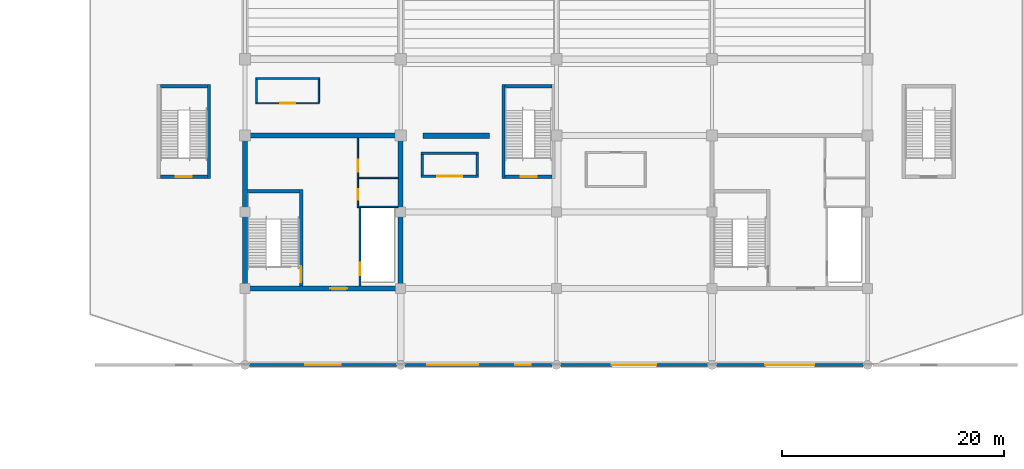
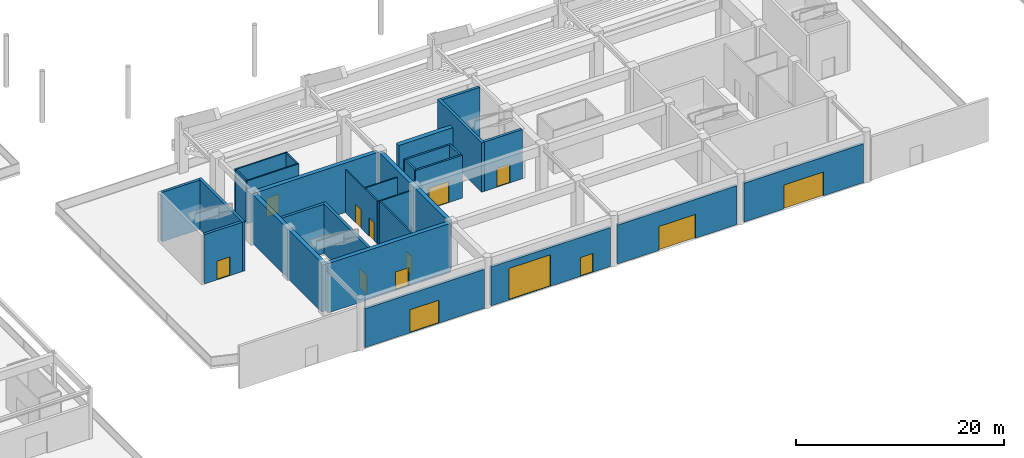
# One storey, part 39 of 73: 29 walls, 14 doors, 14 openings.
"""IFC4 building model written with IfcOpenShell, lengths in metres."""

from ifc_helpers import new_model, si_unit, direction, frame, frame_2d, origin, place, context, subcontext, project, spatial, rectangle, extrude, material, layer, layer_set, type_object, element, fill, save


model = new_model("IFC4")

# Units and contexts
model_context = context("Model", 3, precision=1e-05, world=origin(), true_north=direction((0.0, 1.0)))
body_context = subcontext(model_context, "Body", "Model", "MODEL_VIEW")
ifc_project = project(units=[si_unit("LENGTHUNIT", "METRE"), si_unit("AREAUNIT", "SQUARE_METRE"), si_unit("VOLUMEUNIT", "CUBIC_METRE"), si_unit("PLANEANGLEUNIT", "RADIAN"), si_unit("MASSUNIT", "GRAM", prefix="KILO")], contexts=[model_context])

# Site, building, storey
site_placement = place(None, origin())
site = spatial("IfcSite", under=ifc_project, at=site_placement, CompositionType="ELEMENT")
building_placement = place(site_placement, origin())
building = spatial("IfcBuilding", under=site, at=building_placement, Name="Linyun Crest Stadium", CompositionType="ELEMENT")
storey_placement = place(building_placement, origin())
storey = spatial("IfcBuildingStorey", under=building, at=storey_placement, Name="L01", CompositionType="ELEMENT", Elevation=0.0)

# Walls
ifc_material_1 = material(Name="Concrete C50", Category="concrete")
ifc_layer_1 = layer(ifc_material_1, 0.449951171875)
ifc_layer_set_1 = layer_set([ifc_layer_1], Name="Concrete C50")
wall_type_1 = type_object("IfcWallType", Name="CW03", PredefinedType="SHEAR", material=ifc_layer_set_1)
for number, where, z_axis, x_axis, name in (
    (1, (-28.0, -87.02490234375, 0.0), (0.0, 0.0, 1.0), (0.0, 1.0, 0.0), "Core shear wall CW03 CORE-S1 L01.1"),
    (2, (-14.0, -87.02490234375, 0.0), (0.0, 0.0, 1.0), (0.0, 1.0, 0.0), "Core shear wall CW03 CORE-S1 L01.2"),
):
    element("IfcWall", number, at=place(storey_placement, frame(where, z_axis=z_axis, x_axis=x_axis)), inside=storey, type_object=wall_type_1, Name=name, PredefinedType="SHEAR", context=body_context, shape_type="SweptSolid", body=[
        extrude(rectangle(XDim=13.2998046875, YDim=0.449951171875, at=frame_2d((6.64990234375, 0.0))), origin(), (0.0, 0.0, 1.0), 5.780029296875),
    ])

# Wall, opening, door
wall_1_placement = place(storey_placement, frame((-27.77490234375, -87.25, 0.0), z_axis=(0.0, 0.0, 1.0), x_axis=(1.0, 0.0, 0.0)))
wall_1 = element("IfcWall", 3, at=wall_1_placement, inside=storey, type_object=wall_type_1, Name="Core shear wall CW03 CORE-S1 L01.3", PredefinedType="SHEAR", context=body_context, shape_type="SweptSolid", body=[
    extrude(rectangle(XDim=13.5498046875, YDim=0.449951171875, at=frame_2d((6.77490234375, 0.0))), origin(), (0.0, 0.0, 1.0), 5.780029296875),
])
opening_1_placement = place(wall_1_placement, frame((7.451904296875, 0.0, 0.0)))
opening_1 = element("IfcOpeningElement", 4, at=opening_1_placement, cuts=wall_1, Name="Opening D-L01-321", PredefinedType="OPENING", context=body_context, shape_type="SweptSolid", body=[
    extrude(rectangle(XDim=1.5, YDim=2.199951171875, at=frame_2d((0.75, 1.10009765625))), frame((0.0, 0.23486328125, 0.0), z_axis=(0.0, -1.0, 0.0), x_axis=(1.0, 0.0, 0.0)), (0.0, 0.0, 1.0), 0.469970703125),
])
ifc_material_2 = material(Name="Galvanized steel Class A fire door", Category="steel")
ifc_layer_2 = layer(ifc_material_2, 0.054931640625)
ifc_layer_set_2 = layer_set([ifc_layer_2], Name="Galvanized steel Class A fire door")
door_type_1 = type_object("IfcDoorType", Name="FD01", OperationType="NOTDEFINED", PredefinedType="DOOR", material=ifc_layer_set_2)
door_1_placement = place(opening_1_placement, origin())
door_1 = element("IfcDoor", 5, at=door_1_placement, inside=storey, type_object=door_type_1, Name="Door D-L01-321", OperationType="SINGLE_SWING_LEFT", OverallHeight=2.199951171875, OverallWidth=1.5, PredefinedType="DOOR", context=body_context, shape_type="SweptSolid", body=[
    extrude(rectangle(XDim=1.5, YDim=2.199951171875, at=frame_2d((0.75, 1.10009765625))), frame((0.0, 0.02490234375, 0.0), z_axis=(0.0, -1.0, 0.0), x_axis=(1.0, 0.0, 0.0)), (0.0, 0.0, 1.0), 0.050048828125),
])
fill(opening_1, door_1)

# Wall
wall_2_placement = place(storey_placement, frame((-27.77490234375, -73.5, 0.0), z_axis=(0.0, 0.0, 1.0), x_axis=(1.0, 0.0, 0.0)))
element("IfcWall", 6, at=wall_2_placement, inside=storey, type_object=wall_type_1, Name="Core shear wall CW03 CORE-S1 L01.4", PredefinedType="SHEAR", context=body_context, shape_type="SweptSolid", body=[
    extrude(rectangle(XDim=13.5498046875, YDim=0.449951171875, at=frame_2d((6.77490234375, 0.0))), origin(), (0.0, 0.0, 1.0), 5.780029296875),
])

# Wall, opening, door
ifc_material_3 = material(Name="Concrete C40 with celadon ceramic faience", Category="concrete")
ifc_layer_3 = layer(ifc_material_3, 0.280029296875)
ifc_layer_set_3 = layer_set([ifc_layer_3], Name="Concrete C40 with celadon ceramic faience")
wall_type_2 = type_object("IfcWallType", Name="EW03", PredefinedType="SOLIDWALL", material=ifc_layer_set_3)
wall_3_placement = place(storey_placement, frame((-14.3798828125, -94.125, 0.0), z_axis=(0.0, 0.0, 1.0), x_axis=(-1.0, 0.0, 0.0)))
wall_3 = element("IfcWall", 7, at=wall_3_placement, inside=storey, type_object=wall_type_2, Name="Exterior wall EW03 L01 32", PredefinedType="SOLIDWALL", context=body_context, shape_type="SweptSolid", body=[
    extrude(rectangle(XDim=13.240234375, YDim=0.280029296875, at=frame_2d((6.6201171875, 0.0))), origin(), (0.0, 0.0, 1.0), 4.554931640625),
])
opening_2_placement = place(wall_3_placement, frame((5.02001953125, 0.0, 0.0)))
opening_2 = element("IfcOpeningElement", 8, at=opening_2_placement, cuts=wall_3, Name="Opening E09", PredefinedType="OPENING", context=body_context, shape_type="SweptSolid", body=[
    extrude(rectangle(XDim=3.199951171875, YDim=2.699951171875, at=frame_2d((1.60009765625, 1.35009765625))), frame((0.0, 0.14990234375, 0.0), z_axis=(0.0, -1.0, 0.0), x_axis=(1.0, 0.0, 0.0)), (0.0, 0.0, 1.0), 0.300048828125),
])
ifc_material_4 = material(Name="Verdigris painted steel and laminated glass", Category="steel")
ifc_layer_4 = layer(ifc_material_4, 0.06005859375)
ifc_layer_set_4 = layer_set([ifc_layer_4], Name="Verdigris painted steel and laminated glass")
door_type_2 = type_object("IfcDoorType", Name="ED01", OperationType="NOTDEFINED", PredefinedType="DOOR", material=ifc_layer_set_4)
door_2_placement = place(opening_2_placement, origin())
door_2 = element("IfcDoor", 9, at=door_2_placement, inside=storey, type_object=door_type_2, Name="Main entrance E09", OperationType="DOUBLE_DOOR_SINGLE_SWING", OverallHeight=2.699951171875, OverallWidth=3.199951171875, PredefinedType="DOOR", context=body_context, shape_type="SweptSolid", body=[
    extrude(rectangle(XDim=3.199951171875, YDim=2.699951171875, at=frame_2d((1.60009765625, 1.35009765625))), frame((0.0, 0.02490234375, 0.0), z_axis=(0.0, -1.0, 0.0), x_axis=(1.0, 0.0, 0.0)), (0.0, 0.0, 1.0), 0.050048828125),
])
fill(opening_2, door_2)

# Wall, openings, doors
wall_4_placement = place(storey_placement, frame((-0.3798828125, -94.125, 0.0), z_axis=(0.0, 0.0, 1.0), x_axis=(-1.0, 0.0, 0.0)))
wall_4 = element("IfcWall", 10, at=wall_4_placement, inside=storey, type_object=wall_type_2, Name="Exterior wall EW03 L01 34", PredefinedType="SOLIDWALL", context=body_context, shape_type="SweptSolid", body=[
    extrude(rectangle(XDim=13.240234375, YDim=0.280029296875, at=frame_2d((6.6201171875, 0.0))), origin(), (0.0, 0.0, 1.0), 4.554931640625),
])
opening_3_placement = place(wall_4_placement, frame((6.639892578125, 0.0, 0.0)))
opening_3 = element("IfcOpeningElement", 11, at=opening_3_placement, cuts=wall_4, Name="Opening VG02", PredefinedType="OPENING", context=body_context, shape_type="SweptSolid", body=[
    extrude(rectangle(XDim=4.60009765625, YDim=3.699951171875, at=frame_2d((2.300048828125, 1.85009765625))), frame((0.0, 0.14990234375, 0.0), z_axis=(0.0, -1.0, 0.0), x_axis=(1.0, 0.0, 0.0)), (0.0, 0.0, 1.0), 0.300048828125),
])
opening_4_placement = place(wall_4_placement, frame((1.93994140625, 0.0, 0.0)))
opening_4 = element("IfcOpeningElement", 12, at=opening_4_placement, cuts=wall_4, Name="Opening E-ST28", PredefinedType="OPENING", context=body_context, shape_type="SweptSolid", body=[
    extrude(rectangle(XDim=1.39990234375, YDim=2.199951171875, at=frame_2d((0.699951171875, 1.10009765625))), frame((0.0, 0.14990234375, 0.0), z_axis=(0.0, -1.0, 0.0), x_axis=(1.0, 0.0, 0.0)), (0.0, 0.0, 1.0), 0.300048828125),
])
ifc_material_5 = material(Name="Galvanized fire-rated steel leaf", Category="steel")
ifc_layer_5 = layer(ifc_material_5, 0.054931640625)
ifc_layer_set_5 = layer_set([ifc_layer_5], Name="Galvanized fire-rated steel leaf")
door_type_3 = type_object("IfcDoorType", Name="FD09", OperationType="NOTDEFINED", PredefinedType="DOOR", material=ifc_layer_set_5)
door_3_placement = place(opening_4_placement, origin())
door_3 = element("IfcDoor", 13, at=door_3_placement, inside=storey, type_object=door_type_3, Name="Stair discharge exit E-ST28", OperationType="SINGLE_SWING_LEFT", OverallHeight=2.199951171875, OverallWidth=1.39990234375, PredefinedType="DOOR", context=body_context, shape_type="SweptSolid", body=[
    extrude(rectangle(XDim=1.39990234375, YDim=2.199951171875, at=frame_2d((0.699951171875, 1.10009765625))), frame((0.0, 0.02490234375, 0.0), z_axis=(0.0, -1.0, 0.0), x_axis=(1.0, 0.0, 0.0)), (0.0, 0.0, 1.0), 0.050048828125),
])
fill(opening_4, door_3)
ifc_material_6 = material(Name="Heavy insulated steel bi-parting portal", Category="steel")
ifc_layer_6 = layer(ifc_material_6, 0.080078125)
ifc_layer_set_6 = layer_set([ifc_layer_6], Name="Heavy insulated steel bi-parting portal")
door_type_4 = type_object("IfcDoorType", Name="VG02", OperationType="NOTDEFINED", PredefinedType="DOOR", material=ifc_layer_set_6)
door_4_placement = place(opening_3_placement, origin())
door_4 = element("IfcDoor", 14, at=door_4_placement, inside=storey, type_object=door_type_4, Name="South vehicle fire portal VG02", OperationType="DOUBLE_DOOR_SINGLE_SWING", OverallHeight=3.699951171875, OverallWidth=4.60009765625, PredefinedType="DOOR", context=body_context, shape_type="SweptSolid", body=[
    extrude(rectangle(XDim=4.60009765625, YDim=3.699951171875, at=frame_2d((2.300048828125, 1.85009765625))), frame((0.0, 0.02490234375, 0.0), z_axis=(0.0, -1.0, 0.0), x_axis=(1.0, 0.0, 0.0)), (0.0, 0.0, 1.0), 0.050048828125),
])
fill(opening_3, door_4)

# Wall, opening, door
wall_5_placement = place(storey_placement, frame((13.6201171875, -94.125, 0.0), z_axis=(0.0, 0.0, 1.0), x_axis=(-1.0, 0.0, 0.0)))
wall_5 = element("IfcWall", 15, at=wall_5_placement, inside=storey, type_object=wall_type_2, Name="Exterior wall EW03 L01 36", PredefinedType="SOLIDWALL", context=body_context, shape_type="SweptSolid", body=[
    extrude(rectangle(XDim=13.240234375, YDim=0.280029296875, at=frame_2d((6.6201171875, 0.0))), origin(), (0.0, 0.0, 1.0), 4.554931640625),
])
opening_5_placement = place(wall_5_placement, frame((4.6201171875, 0.0, 0.0)))
opening_5 = element("IfcOpeningElement", 16, at=opening_5_placement, cuts=wall_5, Name="Opening E11", PredefinedType="OPENING", context=body_context, shape_type="SweptSolid", body=[
    extrude(rectangle(XDim=4.0, YDim=2.800048828125, at=frame_2d((2.0, 1.39990234375))), frame((0.0, 0.14990234375, 0.0), z_axis=(0.0, -1.0, 0.0), x_axis=(1.0, 0.0, 0.0)), (0.0, 0.0, 1.0), 0.300048828125),
])
ifc_material_7 = material(Name="Verdigris painted steel and laminated glass", Category="steel")
ifc_layer_7 = layer(ifc_material_7, 0.06494140625)
ifc_layer_set_7 = layer_set([ifc_layer_7], Name="Verdigris painted steel and laminated glass")
door_type_5 = type_object("IfcDoorType", Name="ED03", OperationType="NOTDEFINED", PredefinedType="DOOR", material=ifc_layer_set_7)
door_5_placement = place(opening_5_placement, origin())
door_5 = element("IfcDoor", 17, at=door_5_placement, inside=storey, type_object=door_type_5, Name="Main entrance E11", OperationType="DOUBLE_DOOR_SINGLE_SWING", OverallHeight=2.800048828125, OverallWidth=4.0, PredefinedType="DOOR", context=body_context, shape_type="SweptSolid", body=[
    extrude(rectangle(XDim=4.0, YDim=2.800048828125, at=frame_2d((2.0, 1.39990234375))), frame((0.0, 0.02490234375, 0.0), z_axis=(0.0, -1.0, 0.0), x_axis=(1.0, 0.0, 0.0)), (0.0, 0.0, 1.0), 0.050048828125),
])
fill(opening_5, door_5)

wall_6_placement = place(storey_placement, frame((27.6201171875, -94.125, 0.0), z_axis=(0.0, 0.0, 1.0), x_axis=(-1.0, 0.0, 0.0)))
wall_6 = element("IfcWall", 18, at=wall_6_placement, inside=storey, type_object=wall_type_2, Name="Exterior wall EW03 L01 37", PredefinedType="SOLIDWALL", context=body_context, shape_type="SweptSolid", body=[
    extrude(rectangle(XDim=13.240234375, YDim=0.280029296875, at=frame_2d((6.6201171875, 0.0))), origin(), (0.0, 0.0, 1.0), 4.554931640625),
])
opening_6_placement = place(wall_6_placement, frame((4.419921875, 0.0, 0.0)))
opening_6 = element("IfcOpeningElement", 19, at=opening_6_placement, cuts=wall_6, Name="Opening E12", PredefinedType="OPENING", context=body_context, shape_type="SweptSolid", body=[
    extrude(rectangle(XDim=4.39990234375, YDim=2.800048828125, at=frame_2d((2.199951171875, 1.39990234375))), frame((0.0, 0.14990234375, 0.0), z_axis=(0.0, -1.0, 0.0), x_axis=(1.0, 0.0, 0.0)), (0.0, 0.0, 1.0), 0.300048828125),
])
ifc_material_8 = material(Name="Verdigris painted steel and laminated glass", Category="steel")
ifc_layer_8 = layer(ifc_material_8, 0.06494140625)
ifc_layer_set_8 = layer_set([ifc_layer_8], Name="Verdigris painted steel and laminated glass")
door_type_6 = type_object("IfcDoorType", Name="ED04", OperationType="NOTDEFINED", PredefinedType="DOOR", material=ifc_layer_set_8)
door_6_placement = place(opening_6_placement, origin())
door_6 = element("IfcDoor", 20, at=door_6_placement, inside=storey, type_object=door_type_6, Name="Main entrance E12", OperationType="DOUBLE_DOOR_SINGLE_SWING", OverallHeight=2.800048828125, OverallWidth=4.39990234375, PredefinedType="DOOR", context=body_context, shape_type="SweptSolid", body=[
    extrude(rectangle(XDim=4.39990234375, YDim=2.800048828125, at=frame_2d((2.199951171875, 1.39990234375))), frame((0.0, 0.02490234375, 0.0), z_axis=(0.0, -1.0, 0.0), x_axis=(1.0, 0.0, 0.0)), (0.0, 0.0, 1.0), 0.050048828125),
])
fill(opening_6, door_6)

ifc_material_9 = material(Name="Autoclaved aerated concrete block fire partition", Category="concrete")
ifc_layer_9 = layer(ifc_material_9, 0.179931640625)
ifc_layer_set_9 = layer_set([ifc_layer_9], Name="Autoclaved aerated concrete block fire partition")
wall_type_3 = type_object("IfcWallType", Name="PW12", PredefinedType="PARTITIONING", material=ifc_layer_set_9)
wall_7_placement = place(storey_placement, frame((-17.64990234375, -87.02490234375, 0.0), z_axis=(0.0, 0.0, 1.0), x_axis=(0.0, 1.0, 0.0)))
wall_7 = element("IfcWall", 21, at=wall_7_placement, inside=storey, type_object=wall_type_3, Name="Partition PW12 L01 113", PredefinedType="PARTITIONING", context=body_context, shape_type="SweptSolid", body=[
    extrude(rectangle(XDim=7.054931640625, YDim=0.179931640625, at=frame_2d((3.52734375, 0.0))), origin(), (0.0, 0.0, 1.0), 5.02001953125),
])
opening_7_placement = place(wall_7_placement, frame((0.97509765625, 0.0, 0.0)))
opening_7 = element("IfcOpeningElement", 22, at=opening_7_placement, cuts=wall_7, Name="Opening LD098", PredefinedType="OPENING", context=body_context, shape_type="SweptSolid", body=[
    extrude(rectangle(XDim=1.10009765625, YDim=2.199951171875, at=frame_2d((0.550048828125, 1.10009765625))), frame((0.0, 0.099853515625, 0.0), z_axis=(0.0, -1.0, 0.0), x_axis=(1.0, 0.0, 0.0)), (0.0, 0.0, 1.0), 0.199951171875),
])
ifc_material_10 = material(Name="Brushed stainless sliding lift door")
ifc_layer_10 = layer(ifc_material_10, 0.050048828125)
ifc_layer_set_10 = layer_set([ifc_layer_10], Name="Brushed stainless sliding lift door")
door_type_7 = type_object("IfcDoorType", Name="LD01", OperationType="NOTDEFINED", PredefinedType="DOOR", material=ifc_layer_set_10)
door_7_placement = place(opening_7_placement, origin())
door_7 = element("IfcDoor", 23, at=door_7_placement, inside=storey, type_object=door_type_7, Name="Lift landing door LD098", OperationType="DOUBLE_DOOR_SLIDING", OverallHeight=2.199951171875, OverallWidth=1.10009765625, PredefinedType="DOOR", context=body_context, shape_type="SweptSolid", body=[
    extrude(rectangle(XDim=1.10009765625, YDim=2.199951171875, at=frame_2d((0.550048828125, 1.10009765625))), frame((0.0, 0.02490234375, 0.0), z_axis=(0.0, -1.0, 0.0), x_axis=(1.0, 0.0, 0.0)), (0.0, 0.0, 1.0), 0.050048828125),
])
fill(opening_7, door_7)

ifc_material_11 = material(Name="Steel-stud gypsum corridor fire partition", Category="steel")
ifc_layer_11 = layer(ifc_material_11, 0.14990234375)
ifc_layer_set_11 = layer_set([ifc_layer_11], Name="Steel-stud gypsum corridor fire partition")
wall_type_4 = type_object("IfcWallType", Name="PW14", PredefinedType="PARTITIONING", material=ifc_layer_set_11)
wall_8_placement = place(storey_placement, frame((-21.282958984375, -70.587890625, 0.0), z_axis=(0.0, 0.0, 1.0), x_axis=(-1.0, 0.0, 0.0)))
wall_8 = element("IfcWall", 24, at=wall_8_placement, inside=storey, type_object=wall_type_4, Name="Partition PW14 L01 176", PredefinedType="PARTITIONING", context=body_context, shape_type="SweptSolid", body=[
    extrude(rectangle(XDim=5.760009765625, YDim=0.14990234375, at=frame_2d((2.8798828125, 0.0))), origin(), (0.0, 0.0, 1.0), 5.02001953125),
])
opening_8_placement = place(wall_8_placement, frame((2.205078125, 0.0, 0.0)))
opening_8 = element("IfcOpeningElement", 25, at=opening_8_placement, cuts=wall_8, Name="Opening D-L01-439", PredefinedType="OPENING", context=body_context, shape_type="SweptSolid", body=[
    extrude(rectangle(XDim=1.35009765625, YDim=2.199951171875, at=frame_2d((0.675048828125, 1.10009765625))), frame((0.0, 0.0849609375, 0.0), z_axis=(0.0, -1.0, 0.0), x_axis=(1.0, 0.0, 0.0)), (0.0, 0.0, 1.0), 0.169921875),
])
ifc_material_12 = material(Name="Wide hospital-grade hygienic door")
ifc_layer_12 = layer(ifc_material_12, 0.050048828125)
ifc_layer_set_12 = layer_set([ifc_layer_12], Name="Wide hospital-grade hygienic door")
door_type_8 = type_object("IfcDoorType", Name="ID12", OperationType="NOTDEFINED", PredefinedType="DOOR", material=ifc_layer_set_12)
door_8_placement = place(opening_8_placement, origin())
door_8 = element("IfcDoor", 26, at=door_8_placement, inside=storey, type_object=door_type_8, Name="Door D-L01-439", OperationType="SINGLE_SWING_LEFT", OverallHeight=2.199951171875, OverallWidth=1.35009765625, PredefinedType="DOOR", context=body_context, shape_type="SweptSolid", body=[
    extrude(rectangle(XDim=1.35009765625, YDim=2.199951171875, at=frame_2d((0.675048828125, 1.10009765625))), frame((0.0, 0.02490234375, 0.0), z_axis=(0.0, -1.0, 0.0), x_axis=(1.0, 0.0, 0.0)), (0.0, 0.0, 1.0), 0.050048828125),
])
fill(opening_8, door_8)

# Walls
wall_9_placement = place(storey_placement, frame((-27.04296875, -68.367919921875, 0.0), z_axis=(0.0, 0.0, 1.0), x_axis=(1.0, 0.0, 0.0)))
element("IfcWall", 27, at=wall_9_placement, inside=storey, type_object=wall_type_4, Name="Enclosure partition PW14 L01 244", PredefinedType="PARTITIONING", context=body_context, shape_type="SweptSolid", body=[
    extrude(rectangle(XDim=5.760009765625, YDim=0.14990234375, at=frame_2d((2.8798828125, 0.0))), origin(), (0.0, 0.0, 1.0), 5.02001953125),
])
for number, where, z_axis, x_axis, name in (
    (28, (-26.968017578125, -70.512939453125, 0.0), (0.0, 0.0, 1.0), (0.0, 1.0, 0.0), "Enclosure partition PW14 L01 245"),
    (29, (-21.35791015625, -70.512939453125, 0.0), (0.0, 0.0, 1.0), (0.0, 1.0, 0.0), "Enclosure partition PW14 L01 246"),
):
    element("IfcWall", number, at=place(storey_placement, frame(where, z_axis=z_axis, x_axis=x_axis)), inside=storey, type_object=wall_type_4, Name=name, PredefinedType="PARTITIONING", context=body_context, shape_type="SweptSolid", body=[
        extrude(rectangle(XDim=2.06982421875, YDim=0.14990234375, at=frame_2d((1.034912109375, 0.0))), origin(), (0.0, 0.0, 1.0), 5.02001953125),
    ])

# Wall, openings, doors
ifc_material_13 = material(Name="Moisture-resistant ceramic-tiled wet-room wall")
ifc_layer_13 = layer(ifc_material_13, 0.139892578125)
ifc_layer_set_13 = layer_set([ifc_layer_13], Name="Moisture-resistant ceramic-tiled wet-room wall")
wall_type_5 = type_object("IfcWallType", Name="PW15", PredefinedType="PARTITIONING", material=ifc_layer_set_13)
wall_10_placement = place(storey_placement, frame((-17.85009765625, -79.830078125, 0.0), z_axis=(0.0, 0.0, 1.0), x_axis=(0.0, 1.0, 0.0)))
wall_10 = element("IfcWall", 30, at=wall_10_placement, inside=storey, type_object=wall_type_5, Name="Partition PW15 L01 114", PredefinedType="PARTITIONING", context=body_context, shape_type="SweptSolid", body=[
    extrude(rectangle(XDim=6.10498046875, YDim=0.139892578125, at=frame_2d((3.052490234375, 0.0))), origin(), (0.0, 0.0, 1.0), 5.02001953125),
])
opening_9_placement = place(wall_10_placement, frame((0.580078125, 0.0, 0.0)))
opening_9 = element("IfcOpeningElement", 31, at=opening_9_placement, cuts=wall_10, Name="Opening D-L01-324", PredefinedType="OPENING", context=body_context, shape_type="SweptSolid", body=[
    extrude(rectangle(XDim=0.949951171875, YDim=2.14990234375, at=frame_2d((0.47509765625, 1.074951171875))), frame((0.0, 0.079833984375, 0.0), z_axis=(0.0, -1.0, 0.0), x_axis=(1.0, 0.0, 0.0)), (0.0, 0.0, 1.0), 0.159912109375),
])
opening_10_placement = place(wall_10_placement, frame((3.080078125, 0.0, 0.0)))
opening_10 = element("IfcOpeningElement", 32, at=opening_10_placement, cuts=wall_10, Name="Opening D-L01-325", PredefinedType="OPENING", context=body_context, shape_type="SweptSolid", body=[
    extrude(rectangle(XDim=1.10009765625, YDim=2.14990234375, at=frame_2d((0.550048828125, 1.074951171875))), frame((0.0, 0.079833984375, 0.0), z_axis=(0.0, -1.0, 0.0), x_axis=(1.0, 0.0, 0.0)), (0.0, 0.0, 1.0), 0.159912109375),
])
ifc_material_14 = material(Name="Moisture-resistant laminate leaf")
ifc_layer_14 = layer(ifc_material_14, 0.044921875)
ifc_layer_set_14 = layer_set([ifc_layer_14], Name="Moisture-resistant laminate leaf")
door_type_9 = type_object("IfcDoorType", Name="ID02", OperationType="NOTDEFINED", PredefinedType="DOOR", material=ifc_layer_set_14)
door_9_placement = place(opening_9_placement, origin())
door_9 = element("IfcDoor", 33, at=door_9_placement, inside=storey, type_object=door_type_9, Name="Door D-L01-324", OperationType="SINGLE_SWING_RIGHT", OverallHeight=2.14990234375, OverallWidth=0.949951171875, PredefinedType="DOOR", context=body_context, shape_type="SweptSolid", body=[
    extrude(rectangle(XDim=0.949951171875, YDim=2.14990234375, at=frame_2d((0.47509765625, 1.074951171875))), frame((0.0, 0.02490234375, 0.0), z_axis=(0.0, -1.0, 0.0), x_axis=(1.0, 0.0, 0.0)), (0.0, 0.0, 1.0), 0.050048828125),
])
fill(opening_9, door_9)
ifc_material_15 = material(Name="Moisture-resistant laminate leaf")
ifc_layer_15 = layer(ifc_material_15, 0.044921875)
ifc_layer_set_15 = layer_set([ifc_layer_15], Name="Moisture-resistant laminate leaf")
door_type_10 = type_object("IfcDoorType", Name="ID03", OperationType="NOTDEFINED", PredefinedType="DOOR", material=ifc_layer_set_15)
door_10_placement = place(opening_10_placement, origin())
door_10 = element("IfcDoor", 34, at=door_10_placement, inside=storey, type_object=door_type_10, Name="Door D-L01-325", OperationType="SINGLE_SWING_LEFT", OverallHeight=2.14990234375, OverallWidth=1.10009765625, PredefinedType="DOOR", context=body_context, shape_type="SweptSolid", body=[
    extrude(rectangle(XDim=1.10009765625, YDim=2.14990234375, at=frame_2d((0.550048828125, 1.074951171875))), frame((0.0, 0.02490234375, 0.0), z_axis=(0.0, -1.0, 0.0), x_axis=(1.0, 0.0, 0.0)), (0.0, 0.0, 1.0), 0.050048828125),
])
fill(opening_10, door_10)

# Walls
wall_11_placement = place(storey_placement, frame((-17.919921875, -79.89990234375, 0.0), z_axis=(0.0, 0.0, 1.0), x_axis=(1.0, 0.0, 0.0)))
element("IfcWall", 35, at=wall_11_placement, inside=storey, type_object=wall_type_5, Name="Enclosure partition PW15 L01 105", PredefinedType="PARTITIONING", context=body_context, shape_type="SweptSolid", body=[
    extrude(rectangle(XDim=3.69482421875, YDim=0.139892578125, at=frame_2d((1.847412109375, 0.0))), origin(), (0.0, 0.0, 1.0), 5.02001953125),
])
wall_12_placement = place(storey_placement, frame((-17.780029296875, -77.300048828125, 0.0), z_axis=(0.0, 0.0, 1.0), x_axis=(1.0, 0.0, 0.0)))
element("IfcWall", 36, at=wall_12_placement, inside=storey, type_object=wall_type_5, Name="Enclosure partition PW15 L01 106", PredefinedType="PARTITIONING", context=body_context, shape_type="SweptSolid", body=[
    extrude(rectangle(XDim=3.554931640625, YDim=0.139892578125, at=frame_2d((1.77734375, 0.0))), origin(), (0.0, 0.0, 1.0), 5.02001953125),
])

# Wall, opening, door
ifc_material_16 = material(Name="Kitchen hood and service riser enclosure wall")
ifc_layer_16 = layer(ifc_material_16, 0.2099609375)
ifc_layer_set_16 = layer_set([ifc_layer_16], Name="Kitchen hood and service riser enclosure wall")
wall_type_6 = type_object("IfcWallType", Name="PW26", PredefinedType="PARTITIONING", material=ifc_layer_set_16)
wall_13_placement = place(storey_placement, frame((-6.9970703125, -77.153076171875, 0.0), z_axis=(0.0, 0.0, 1.0), x_axis=(-1.0, 0.0, 0.0)))
wall_13 = element("IfcWall", 37, at=wall_13_placement, inside=storey, type_object=wall_type_6, Name="Partition PW26 L01 174", PredefinedType="PARTITIONING", context=body_context, shape_type="SweptSolid", body=[
    extrude(rectangle(XDim=5.179931640625, YDim=0.2099609375, at=frame_2d((2.58984375, 0.0))), origin(), (0.0, 0.0, 1.0), 5.02001953125),
])
opening_11_placement = place(wall_13_placement, frame((1.465087890625, 0.0, 0.0)))
opening_11 = element("IfcOpeningElement", 38, at=opening_11_placement, cuts=wall_13, Name="Opening D-L01-437", PredefinedType="OPENING", context=body_context, shape_type="SweptSolid", body=[
    extrude(rectangle(XDim=2.25, YDim=2.449951171875, at=frame_2d((1.125, 1.22509765625))), frame((0.0, 0.114990234375, 0.0), z_axis=(0.0, -1.0, 0.0), x_axis=(1.0, 0.0, 0.0)), (0.0, 0.0, 1.0), 0.22998046875),
])
ifc_material_17 = material(Name="Double-leaf anodized aluminium door", Category="aluminium")
ifc_layer_17 = layer(ifc_material_17, 0.054931640625)
ifc_layer_set_17 = layer_set([ifc_layer_17], Name="Double-leaf anodized aluminium door")
door_type_11 = type_object("IfcDoorType", Name="ID10", OperationType="NOTDEFINED", PredefinedType="DOOR", material=ifc_layer_set_17)
door_11_placement = place(opening_11_placement, origin())
door_11 = element("IfcDoor", 39, at=door_11_placement, inside=storey, type_object=door_type_11, Name="Door D-L01-437", OperationType="DOUBLE_DOOR_SINGLE_SWING", OverallHeight=2.449951171875, OverallWidth=2.25, PredefinedType="DOOR", context=body_context, shape_type="SweptSolid", body=[
    extrude(rectangle(XDim=2.25, YDim=2.449951171875, at=frame_2d((1.125, 1.22509765625))), frame((0.0, 0.02490234375, 0.0), z_axis=(0.0, -1.0, 0.0), x_axis=(1.0, 0.0, 0.0)), (0.0, 0.0, 1.0), 0.050048828125),
])
fill(opening_11, door_11)

# Walls
wall_14_placement = place(storey_placement, frame((-12.177001953125, -75.072998046875, 0.0), z_axis=(0.0, 0.0, 1.0), x_axis=(1.0, 0.0, 0.0)))
element("IfcWall", 40, at=wall_14_placement, inside=storey, type_object=wall_type_6, Name="Enclosure partition PW26 L01 238", PredefinedType="PARTITIONING", context=body_context, shape_type="SweptSolid", body=[
    extrude(rectangle(XDim=5.179931640625, YDim=0.2099609375, at=frame_2d((2.58984375, 0.0))), origin(), (0.0, 0.0, 1.0), 5.02001953125),
])
for number, where, z_axis, x_axis, name in (
    (41, (-12.072021484375, -77.048095703125, 0.0), (0.0, 0.0, 1.0), (0.0, 1.0, 0.0), "Enclosure partition PW26 L01 239"),
    (42, (-7.10205078125, -77.048095703125, 0.0), (0.0, 0.0, 1.0), (0.0, 1.0, 0.0), "Enclosure partition PW26 L01 240"),
):
    element("IfcWall", number, at=place(storey_placement, frame(where, z_axis=z_axis, x_axis=x_axis)), inside=storey, type_object=wall_type_6, Name=name, PredefinedType="PARTITIONING", context=body_context, shape_type="SweptSolid", body=[
        extrude(rectangle(XDim=1.8701171875, YDim=0.2099609375, at=frame_2d((0.93505859375, 0.0))), origin(), (0.0, 0.0, 1.0), 5.02001953125),
    ])

# Wall, opening, door
ifc_material_18 = material(Name="Concrete C50", Category="concrete")
ifc_layer_18 = layer(ifc_material_18, 0.300048828125)
ifc_layer_set_18 = layer_set([ifc_layer_18], Name="Concrete C50")
wall_type_7 = type_object("IfcWallType", Name="SW01", PredefinedType="SHEAR", material=ifc_layer_set_18)
wall_15_placement = place(storey_placement, frame((-22.949951171875, -87.02490234375, 0.0), z_axis=(0.0, 0.0, 1.0), x_axis=(0.0, 1.0, 0.0)))
wall_15 = element("IfcWall", 43, at=wall_15_placement, inside=storey, type_object=wall_type_7, Name="Core stair east bearing wall SW01 9 L01", PredefinedType="SHEAR", context=body_context, shape_type="SweptSolid", body=[
    extrude(rectangle(XDim=8.6748046875, YDim=0.300048828125, at=frame_2d((4.33740234375, 0.0))), origin(), (0.0, 0.0, 1.0), 5.780029296875),
])
opening_12_placement = place(wall_15_placement, frame((0.344970703125, 0.0, 0.0)))
opening_12 = element("IfcOpeningElement", 44, at=opening_12_placement, cuts=wall_15, Name="Opening D-L01-322", PredefinedType="OPENING", context=body_context, shape_type="SweptSolid", body=[
    extrude(rectangle(XDim=1.449951171875, YDim=2.199951171875, at=frame_2d((0.72509765625, 1.10009765625))), frame((0.0, 0.159912109375, 0.0), z_axis=(0.0, -1.0, 0.0), x_axis=(1.0, 0.0, 0.0)), (0.0, 0.0, 1.0), 0.320068359375),
])
ifc_material_19 = material(Name="Galvanized steel Class A fire door", Category="steel")
ifc_layer_19 = layer(ifc_material_19, 0.054931640625)
ifc_layer_set_19 = layer_set([ifc_layer_19], Name="Galvanized steel Class A fire door")
door_type_12 = type_object("IfcDoorType", Name="FD02", OperationType="NOTDEFINED", PredefinedType="DOOR", material=ifc_layer_set_19)
door_12_placement = place(opening_12_placement, origin())
door_12 = element("IfcDoor", 45, at=door_12_placement, inside=storey, type_object=door_type_12, Name="Door D-L01-322", OperationType="SINGLE_SWING_RIGHT", OverallHeight=2.199951171875, OverallWidth=1.449951171875, PredefinedType="DOOR", context=body_context, shape_type="SweptSolid", body=[
    extrude(rectangle(XDim=1.449951171875, YDim=2.199951171875, at=frame_2d((0.72509765625, 1.10009765625))), frame((0.0, 0.02490234375, 0.0), z_axis=(0.0, -1.0, 0.0), x_axis=(1.0, 0.0, 0.0)), (0.0, 0.0, 1.0), 0.050048828125),
])
fill(opening_12, door_12)

# Wall
wall_16_placement = place(storey_placement, frame((-27.77490234375, -78.5, 0.0), z_axis=(0.0, 0.0, 1.0), x_axis=(1.0, 0.0, 0.0)))
element("IfcWall", 46, at=wall_16_placement, inside=storey, type_object=wall_type_7, Name="Core stair bearing wall SW01 9 L01", PredefinedType="SHEAR", context=body_context, shape_type="SweptSolid", body=[
    extrude(rectangle(XDim=4.6748046875, YDim=0.300048828125, at=frame_2d((2.33740234375, 0.0))), origin(), (0.0, 0.0, 1.0), 5.780029296875),
])

# Wall, opening, door
wall_17_placement = place(storey_placement, frame((-35.60009765625, -77.199951171875, 0.0), z_axis=(0.0, 0.0, 1.0), x_axis=(1.0, 0.0, 0.0)))
wall_17 = element("IfcWall", 47, at=wall_17_placement, inside=storey, type_object=wall_type_7, Name="Stair shaft wall SW01 STR-27 L01 S", PredefinedType="SHEAR", context=body_context, shape_type="SweptSolid", body=[
    extrude(rectangle(XDim=4.2001953125, YDim=0.300048828125, at=frame_2d((2.10009765625, 0.0))), origin(), (0.0, 0.0, 1.0), 5.780029296875),
])
opening_13_placement = place(wall_17_placement, frame((1.375, 0.0, 0.0)))
opening_13 = element("IfcOpeningElement", 48, at=opening_13_placement, cuts=wall_17, Name="Opening D-L01-617", PredefinedType="OPENING", context=body_context, shape_type="SweptSolid", body=[
    extrude(rectangle(XDim=1.449951171875, YDim=2.199951171875, at=frame_2d((0.72509765625, 1.10009765625))), frame((0.0, 0.159912109375, 0.0), z_axis=(0.0, -1.0, 0.0), x_axis=(1.0, 0.0, 0.0)), (0.0, 0.0, 1.0), 0.320068359375),
])
door_13_placement = place(opening_13_placement, origin())
door_13 = element("IfcDoor", 49, at=door_13_placement, inside=storey, type_object=door_type_12, Name="Door D-L01-617", OperationType="SINGLE_SWING_LEFT", OverallHeight=2.199951171875, OverallWidth=1.449951171875, PredefinedType="DOOR", context=body_context, shape_type="SweptSolid", body=[
    extrude(rectangle(XDim=1.449951171875, YDim=2.199951171875, at=frame_2d((0.72509765625, 1.10009765625))), frame((0.0, 0.02490234375, 0.0), z_axis=(0.0, -1.0, 0.0), x_axis=(1.0, 0.0, 0.0)), (0.0, 0.0, 1.0), 0.050048828125),
])
fill(opening_13, door_13)

# Walls
wall_18_placement = place(storey_placement, frame((-35.60009765625, -69.050048828125, 0.0), z_axis=(0.0, 0.0, 1.0), x_axis=(1.0, 0.0, 0.0)))
element("IfcWall", 50, at=wall_18_placement, inside=storey, type_object=wall_type_7, Name="Stair shaft wall SW01 STR-27 L01 N", PredefinedType="SHEAR", context=body_context, shape_type="SweptSolid", body=[
    extrude(rectangle(XDim=4.2001953125, YDim=0.300048828125, at=frame_2d((2.10009765625, 0.0))), origin(), (0.0, 0.0, 1.0), 5.780029296875),
])
wall_19_placement = place(storey_placement, frame((-31.25, -77.35009765625, 0.0), z_axis=(0.0, 0.0, 1.0), x_axis=(0.0, 1.0, 0.0)))
element("IfcWall", 51, at=wall_19_placement, inside=storey, type_object=wall_type_7, Name="Stair shaft wall SW01 STR-27 L01 E", PredefinedType="SHEAR", context=body_context, shape_type="SweptSolid", body=[
    extrude(rectangle(XDim=8.4501953125, YDim=0.300048828125, at=frame_2d((4.22509765625, 0.0))), origin(), (0.0, 0.0, 1.0), 5.780029296875),
])

# Wall, opening, door
wall_20_placement = place(storey_placement, frame((-4.60009765625, -77.199951171875, 0.0), z_axis=(0.0, 0.0, 1.0), x_axis=(1.0, 0.0, 0.0)))
wall_20 = element("IfcWall", 52, at=wall_20_placement, inside=storey, type_object=wall_type_7, Name="Stair shaft wall SW01 STR-28 L01 S", PredefinedType="SHEAR", context=body_context, shape_type="SweptSolid", body=[
    extrude(rectangle(XDim=4.2001953125, YDim=0.300048828125, at=frame_2d((2.10009765625, 0.0))), origin(), (0.0, 0.0, 1.0), 5.780029296875),
])
opening_14_placement = place(wall_20_placement, frame((1.375, 0.0, 0.0)))
opening_14 = element("IfcOpeningElement", 53, at=opening_14_placement, cuts=wall_20, Name="Opening D-L01-621", PredefinedType="OPENING", context=body_context, shape_type="SweptSolid", body=[
    extrude(rectangle(XDim=1.449951171875, YDim=2.199951171875, at=frame_2d((0.72509765625, 1.10009765625))), frame((0.0, 0.159912109375, 0.0), z_axis=(0.0, -1.0, 0.0), x_axis=(1.0, 0.0, 0.0)), (0.0, 0.0, 1.0), 0.320068359375),
])
door_14_placement = place(opening_14_placement, origin())
door_14 = element("IfcDoor", 54, at=door_14_placement, inside=storey, type_object=door_type_12, Name="Door D-L01-621", OperationType="SINGLE_SWING_LEFT", OverallHeight=2.199951171875, OverallWidth=1.449951171875, PredefinedType="DOOR", context=body_context, shape_type="SweptSolid", body=[
    extrude(rectangle(XDim=1.449951171875, YDim=2.199951171875, at=frame_2d((0.72509765625, 1.10009765625))), frame((0.0, 0.02490234375, 0.0), z_axis=(0.0, -1.0, 0.0), x_axis=(1.0, 0.0, 0.0)), (0.0, 0.0, 1.0), 0.050048828125),
])
fill(opening_14, door_14)

# Walls
wall_21_placement = place(storey_placement, frame((-4.60009765625, -69.050048828125, 0.0), z_axis=(0.0, 0.0, 1.0), x_axis=(1.0, 0.0, 0.0)))
element("IfcWall", 55, at=wall_21_placement, inside=storey, type_object=wall_type_7, Name="Stair shaft wall SW01 STR-28 L01 N", PredefinedType="SHEAR", context=body_context, shape_type="SweptSolid", body=[
    extrude(rectangle(XDim=4.2001953125, YDim=0.300048828125, at=frame_2d((2.10009765625, 0.0))), origin(), (0.0, 0.0, 1.0), 5.780029296875),
])
wall_22_placement = place(storey_placement, frame((-4.75, -77.35009765625, 0.0), z_axis=(0.0, 0.0, 1.0), x_axis=(0.0, 1.0, 0.0)))
element("IfcWall", 56, at=wall_22_placement, inside=storey, type_object=wall_type_7, Name="Stair shaft wall SW01 STR-28 L01 W", PredefinedType="SHEAR", context=body_context, shape_type="SweptSolid", body=[
    extrude(rectangle(XDim=8.4501953125, YDim=0.300048828125, at=frame_2d((4.22509765625, 0.0))), origin(), (0.0, 0.0, 1.0), 5.780029296875),
])
ifc_material_20 = material(Name="Concrete C50", Category="concrete")
ifc_layer_20 = layer(ifc_material_20, 0.5)
ifc_layer_set_20 = layer_set([ifc_layer_20], Name="Concrete C50")
wall_type_8 = type_object("IfcWallType", Name="SW03", PredefinedType="SHEAR", material=ifc_layer_set_20)
wall_23_placement = place(storey_placement, frame((-12.0, -73.5, 0.0), z_axis=(0.0, 0.0, 1.0), x_axis=(1.0, 0.0, 0.0)))
element("IfcWall", 57, at=wall_23_placement, inside=storey, type_object=wall_type_8, Name="Shear wall SW03 L01 322", PredefinedType="SHEAR", context=body_context, shape_type="SweptSolid", body=[
    extrude(rectangle(XDim=6.0, YDim=0.5, at=frame_2d((3.0, 0.0))), origin(), (0.0, 0.0, 1.0), 5.780029296875),
])

save(model, "model.ifc")
